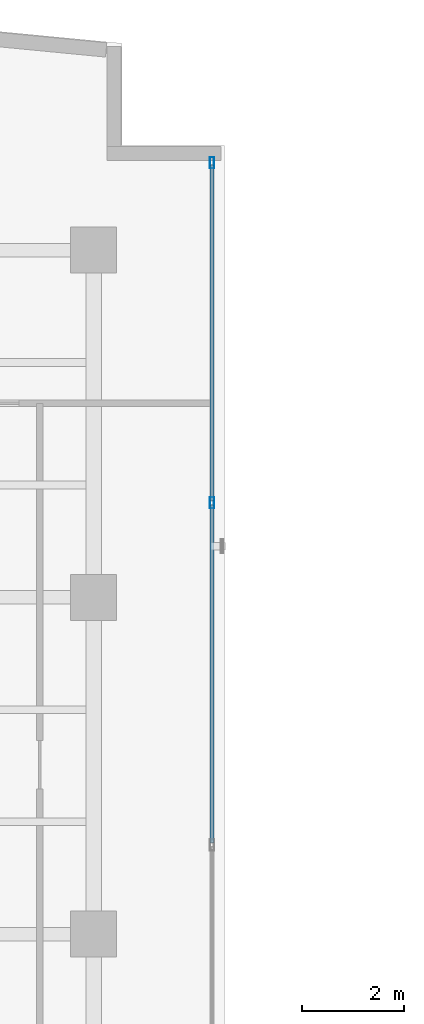
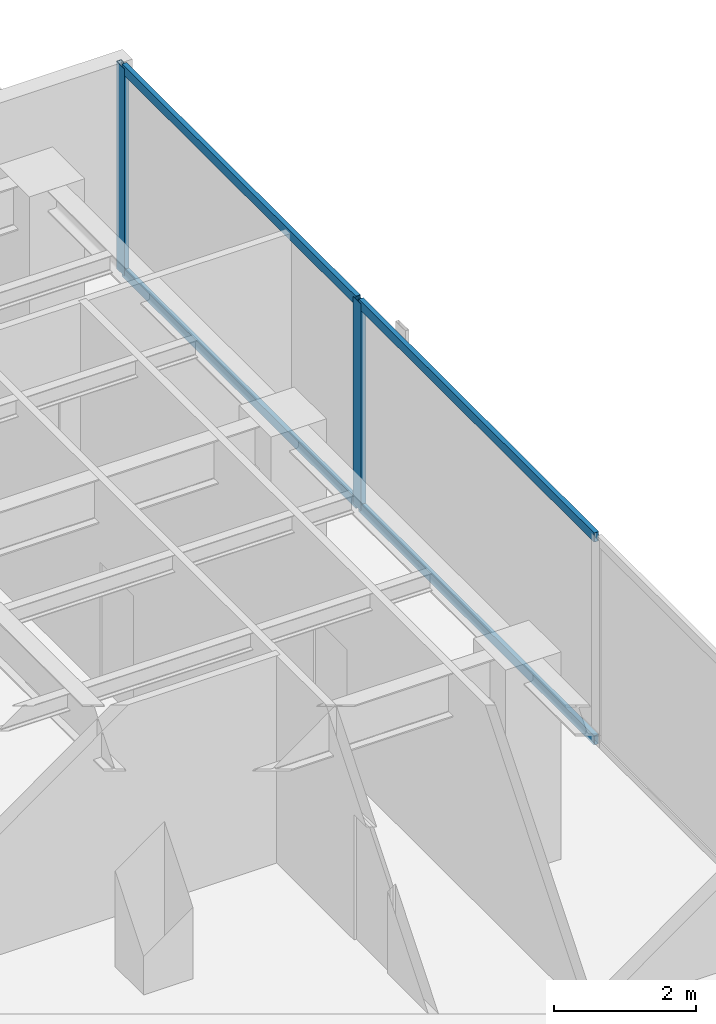
# One storey, part 15 of 22: 6 members, 1 element without a shape of its own.
"""IFC4 building model written with IfcOpenShell, lengths in metres."""

from ifc_helpers import new_model, si_unit, direction, frame, origin, origin_with_axes, origin_2d, place, context, subcontext, project, spatial, hollow_rectangle, extrude, source, transform, mapped, material, layer, layer_set, material_profile, profile_set, type_object, element, aggregate, save


model = new_model("IFC4")

# Units and contexts
model_context = context("Model", 3, precision=1e-05, world=origin(), true_north=direction((0.0, 1.0)))
body_context = subcontext(model_context, "Body", "Model", "MODEL_VIEW")
ifc_project = project(units=[si_unit("LENGTHUNIT", "METRE"), si_unit("AREAUNIT", "SQUARE_METRE"), si_unit("VOLUMEUNIT", "CUBIC_METRE"), si_unit("PLANEANGLEUNIT", "RADIAN"), si_unit("MASSUNIT", "GRAM", prefix="KILO")], contexts=[model_context])

# Site, building, storey
site_placement = place(None, origin())
site = spatial("IfcSite", under=ifc_project, at=site_placement, CompositionType="ELEMENT")
building_placement = place(site_placement, origin())
building = spatial("IfcBuilding", under=site, at=building_placement, Name="Kolvaren Waterfront Exchange", CompositionType="ELEMENT")
storey_placement = place(building_placement, frame((0.0, 0.0, 278.0)))
storey = spatial("IfcBuildingStorey", under=building, at=storey_placement, Name="L71", CompositionType="ELEMENT", Elevation=278.0)

# Curtain wall, members
ifc_material_1 = material(Name="Anodised bronze aluminium 6063-T6", Category="aluminium")
ifc_layer = layer(ifc_material_1, 0.219970703125, Name="Anodised bronze aluminium 6063-T6")
ifc_layer_set = layer_set([ifc_layer], Name="Anodised bronze aluminium 6063-T6")
curtain_wall_type = type_object("IfcCurtainWallType", Name="ARC-CW-SYS1", PredefinedType="USERDEFINED", material=ifc_layer_set)
curtain_wall_placement = place(storey_placement, origin())
curtain_wall = element("IfcCurtainWall", 1, at=curtain_wall_placement, inside=storey, type_object=curtain_wall_type, Name="L71 stick curtain wall CW1 (CW-L71-NE)", ObjectType="STICK CURTAIN WALL", PredefinedType="USERDEFINED")
ifc_material_2 = material(Name="Anodised aluminium 6063-T6", Category="aluminium")
ifc_material_profile_1 = material_profile(ifc_material_2, hollow_rectangle(XDim=0.080078125, YDim=0.219970703125, WallThickness=0.0048828125, at=origin_2d()), Name="ALU-MUL-220x80x5")
ifc_profile_set_1 = profile_set([ifc_material_profile_1], Name="Anodised aluminium 6063-T6")
member_type_1 = type_object("IfcMemberType", Name="ARC-CWM-220", PredefinedType="MULLION", material=ifc_profile_set_1)
shared_shape_1 = source(origin_with_axes(), body_context, "Body", "SweptSolid", [
    extrude(hollow_rectangle(XDim=0.080078125, YDim=0.219970703125, WallThickness=0.0048828125, at=origin_2d()), origin(), (0.0, 0.0, 1.0), 3.56005859375),
])
member_1_placement = place(storey_placement, frame((21.117919921875, 39.651123046875, 0.0), z_axis=(0.0, 0.0, 1.0), x_axis=(-1.0, 0.0, 0.0)))
member_1 = element("IfcMember", 2, at=member_1_placement, type_object=member_type_1, Name="CW1 mullion 3", PredefinedType="MULLION", context=body_context, shape_type="MappedRepresentation", body=[
    mapped(shared_shape_1, transform((0.0, 0.0, 0.0), x_axis=(1.0, 0.0, 0.0), y_axis=(0.0, 1.0, 0.0), z_axis=(0.0, 0.0, 1.0), scale=1.0)),
])
member_2_placement = place(storey_placement, frame((21.117919921875, 46.3125, 0.0), z_axis=(0.0, 0.0, 1.0), x_axis=(-1.0, 0.0, 0.0)))
member_2 = element("IfcMember", 3, at=member_2_placement, type_object=member_type_1, Name="CW1 mullion 4", PredefinedType="MULLION", context=body_context, shape_type="MappedRepresentation", body=[
    mapped(shared_shape_1, transform((0.0, 0.0, 0.0), x_axis=(1.0, 0.0, 0.0), y_axis=(0.0, 1.0, 0.0), z_axis=(0.0, 0.0, 1.0), scale=1.0)),
])
ifc_material_profile_2 = material_profile(ifc_material_2, hollow_rectangle(XDim=0.074951171875, YDim=0.159912109375, WallThickness=0.00439453125, at=origin_2d()), Name="ALU-TRN-160x75x4.5")
ifc_profile_set_2 = profile_set([ifc_material_profile_2], Name="Anodised aluminium 6063-T6")
member_type_2 = type_object("IfcMemberType", Name="ARC-CWT-160", PredefinedType="USERDEFINED", material=ifc_profile_set_2)
shared_shape_2 = source(origin_with_axes(), body_context, "Body", "SweptSolid", [
    extrude(hollow_rectangle(XDim=0.074951171875, YDim=0.159912109375, WallThickness=0.00439453125, at=origin_2d()), origin(), (0.0, 0.0, 1.0), 6.62158203125),
])
member_3_placement = place(storey_placement, frame((21.117919921875, 32.989501953125, 0.03759765625), z_axis=(0.0, 1.0, 0.0), x_axis=(-1.0, 0.0, 0.0)))
member_3 = element("IfcMember", 4, at=member_3_placement, type_object=member_type_2, Name="CW1 transom 2.1", ObjectType="TRANSOM", PredefinedType="USERDEFINED", context=body_context, shape_type="MappedRepresentation", body=[
    mapped(shared_shape_2, transform((0.0, 0.0, 0.0), x_axis=(1.0, 0.0, 0.0), y_axis=(0.0, 1.0, 0.0), z_axis=(0.0, 0.0, 1.0), scale=1.0)),
])
member_4_placement = place(storey_placement, frame((21.117919921875, 32.989501953125, 3.5224609375), z_axis=(0.0, 1.0, 0.0), x_axis=(-1.0, 0.0, 0.0)))
member_4 = element("IfcMember", 5, at=member_4_placement, type_object=member_type_2, Name="CW1 transom 2.2", ObjectType="TRANSOM", PredefinedType="USERDEFINED", context=body_context, shape_type="MappedRepresentation", body=[
    mapped(shared_shape_2, transform((0.0, 0.0, 0.0), x_axis=(1.0, 0.0, 0.0), y_axis=(0.0, 1.0, 0.0), z_axis=(0.0, 0.0, 1.0), scale=1.0)),
])
shared_shape_3 = source(origin_with_axes(), body_context, "Body", "SweptSolid", [
    extrude(hollow_rectangle(XDim=0.074951171875, YDim=0.159912109375, WallThickness=0.00439453125, at=origin_2d()), origin(), (0.0, 0.0, 1.0), 6.581787109375),
])
member_5_placement = place(storey_placement, frame((21.117919921875, 39.69091796875, 0.03759765625), z_axis=(0.0, 1.0, 0.0), x_axis=(-1.0, 0.0, 0.0)))
member_5 = element("IfcMember", 6, at=member_5_placement, type_object=member_type_2, Name="CW1 transom 3.1", ObjectType="TRANSOM", PredefinedType="USERDEFINED", context=body_context, shape_type="MappedRepresentation", body=[
    mapped(shared_shape_3, transform((0.0, 0.0, 0.0), x_axis=(1.0, 0.0, 0.0), y_axis=(0.0, 1.0, 0.0), z_axis=(0.0, 0.0, 1.0), scale=1.0)),
])
member_6_placement = place(storey_placement, frame((21.117919921875, 39.69091796875, 3.5224609375), z_axis=(0.0, 1.0, 0.0), x_axis=(-1.0, 0.0, 0.0)))
member_6 = element("IfcMember", 7, at=member_6_placement, type_object=member_type_2, Name="CW1 transom 3.2", ObjectType="TRANSOM", PredefinedType="USERDEFINED", context=body_context, shape_type="MappedRepresentation", body=[
    mapped(shared_shape_3, transform((0.0, 0.0, 0.0), x_axis=(1.0, 0.0, 0.0), y_axis=(0.0, 1.0, 0.0), z_axis=(0.0, 0.0, 1.0), scale=1.0)),
])
aggregate(curtain_wall, [member_1, member_2, member_3, member_4, member_5, member_6])

save(model, "model.ifc")
